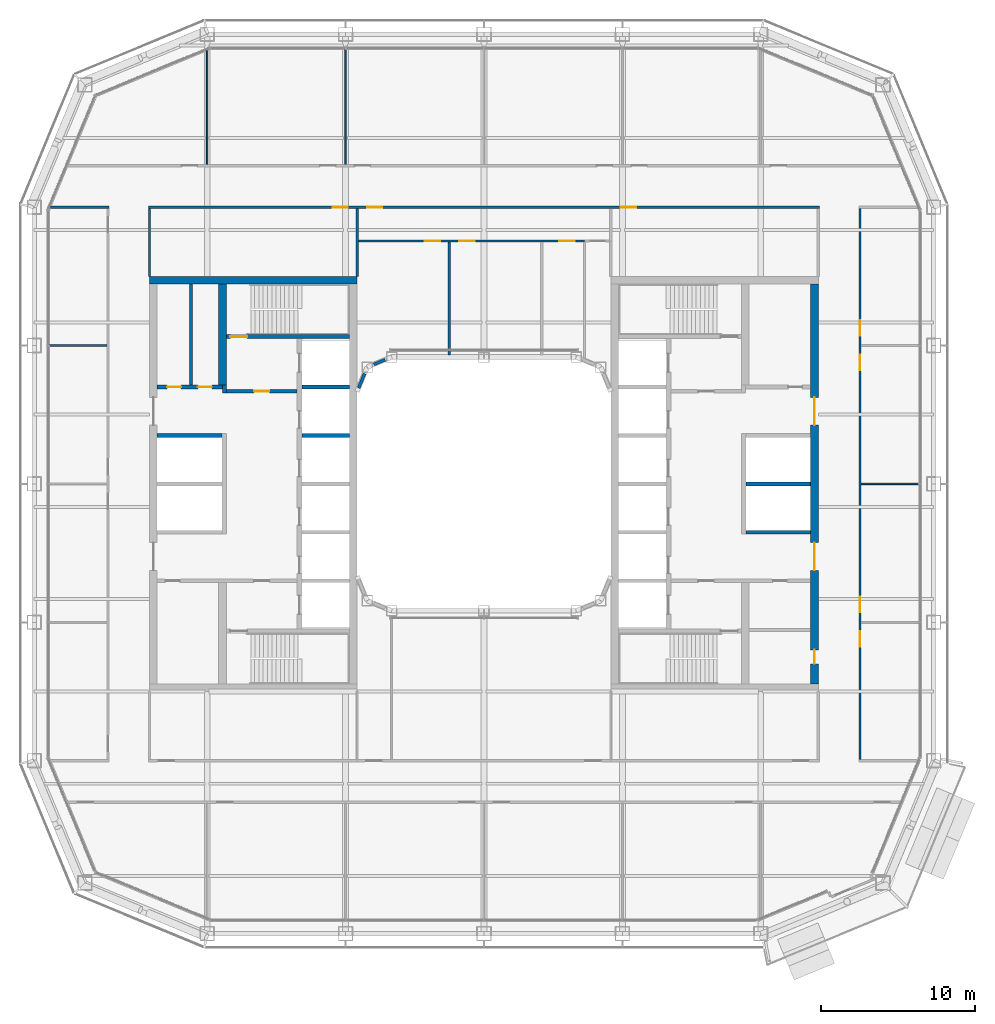
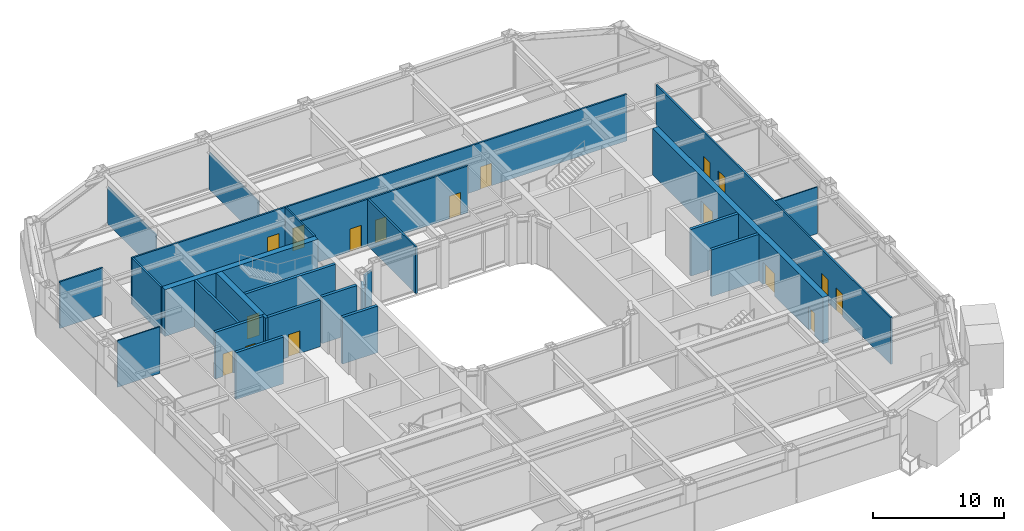
# One storey, part 13 of 23: 26 walls, 17 doors, 17 openings.
"""IFC4 building model written with IfcOpenShell, lengths in metres."""

from ifc_helpers import new_model, si_unit, direction, frame, frame_2d, origin, place, context, subcontext, project, spatial, rectangle, extrude, material, layer, layer_set, type_object, element, fill, save


model = new_model("IFC4")

# Units and contexts
model_context = context("Model", 3, precision=1e-05, world=origin(), true_north=direction((0.0, 1.0)))
body_context = subcontext(model_context, "Body", "Model", "MODEL_VIEW")
ifc_project = project(units=[si_unit("LENGTHUNIT", "METRE"), si_unit("AREAUNIT", "SQUARE_METRE"), si_unit("VOLUMEUNIT", "CUBIC_METRE"), si_unit("PLANEANGLEUNIT", "RADIAN"), si_unit("MASSUNIT", "GRAM", prefix="KILO")], contexts=[model_context])

# Site, building, storey
site_placement = place(None, origin())
site = spatial("IfcSite", under=ifc_project, at=site_placement, CompositionType="ELEMENT")
building_placement = place(site_placement, origin())
building = spatial("IfcBuilding", under=site, at=building_placement, Name="Siwar Civic Tower", CompositionType="ELEMENT")
storey_placement = place(building_placement, frame((0.0, 0.0, 127.199951171875)))
storey = spatial("IfcBuildingStorey", under=building, at=storey_placement, Name="L27", CompositionType="ELEMENT", Elevation=127.199951171875)

# Wall
ifc_material_1 = material(Name="Gypsum board on steel studs", Category="steel")
ifc_layer_1 = layer(ifc_material_1, 0.199951171875)
ifc_layer_set_1 = layer_set([ifc_layer_1], Name="Gypsum board on steel studs")
wall_type_1 = type_object("IfcWallType", Name="CORE-PARTITION-200", PredefinedType="PARTITIONING", material=ifc_layer_set_1)
wall_1_placement = place(storey_placement, frame((-19.050048828125, 6.425048828125, 0.0), z_axis=(0.0, 0.0, 1.0), x_axis=(0.0, 1.0, 0.0)))
element("IfcWall", 1, at=wall_1_placement, inside=storey, type_object=wall_type_1, Name="Core partition W", PredefinedType="PARTITIONING", context=body_context, shape_type="SweptSolid", body=[
    extrude(rectangle(XDim=6.574951171875, YDim=0.199951171875, at=frame_2d((3.28759765625, 0.0))), origin(), (0.0, 0.0, 1.0), 4.35009765625),
])

# Wall, opening, door
ifc_material_2 = material(Name="Concrete C60/75", Category="concrete")
ifc_layer_2 = layer(ifc_material_2, 0.25)
ifc_layer_set_2 = layer_set([ifc_layer_2], Name="Concrete C60/75")
wall_type_2 = type_object("IfcWallType", Name="CORE-WALL-RC250", PredefinedType="SHEAR", material=ifc_layer_set_2)
wall_2_placement = place(storey_placement, frame((-12.14990234375, 6.02490234375, 0.0), z_axis=(0.0, 0.0, 1.0), x_axis=(-1.0, 0.0, 0.0)))
wall_2 = element("IfcWall", 2, at=wall_2_placement, inside=storey, type_object=wall_type_2, Name="Core wall W", PredefinedType="SHEAR", context=body_context, shape_type="SweptSolid", body=[
    extrude(rectangle(XDim=4.60009765625, YDim=0.25, at=frame_2d((2.300048828125, 0.0))), origin(), (0.0, 0.0, 1.0), 4.35009765625),
])
opening_1_placement = place(wall_2_placement, frame((1.800048828125, 0.0, 0.0)))
opening_1 = element("IfcOpeningElement", 3, at=opening_1_placement, cuts=wall_2, Name="Opening L27-CW01", PredefinedType="OPENING", context=body_context, shape_type="SweptSolid", body=[
    extrude(rectangle(XDim=1.0, YDim=2.10009765625, at=frame_2d((0.5, 1.050048828125))), frame((0.0, 0.135009765625, 0.0), z_axis=(0.0, -1.0, 0.0), x_axis=(1.0, 0.0, 0.0)), (0.0, 0.0, 1.0), 0.27001953125),
])
ifc_material_3 = material(Name="Steel door leaf", Category="steel")
door_type_1 = type_object("IfcDoorType", Name="CORE-DOOR-FD30S", OperationType="SINGLE_SWING_LEFT", PredefinedType="DOOR", material=ifc_material_3)
door_1_placement = place(opening_1_placement, origin())
door_1 = element("IfcDoor", 4, at=door_1_placement, inside=storey, type_object=door_type_1, Name="Firefighting lobby door L27-CW01", OperationType="SINGLE_SWING_LEFT", OverallHeight=2.10009765625, OverallWidth=1.0, PredefinedType="DOOR", context=body_context, shape_type="SweptSolid", body=[
    extrude(rectangle(XDim=1.0, YDim=2.10009765625, at=frame_2d((0.5, 1.050048828125))), frame((0.0, 0.02490234375, 0.0), z_axis=(0.0, -1.0, 0.0), x_axis=(1.0, 0.0, 0.0)), (0.0, 0.0, 1.0), 0.050048828125),
])
fill(opening_1, door_1)

# Wall
wall_3_placement = place(storey_placement, frame((-16.875, 5.89990234375, 0.0), z_axis=(0.0, 0.0, 1.0), x_axis=(0.0, 1.0, 0.0)))
element("IfcWall", 5, at=wall_3_placement, inside=storey, type_object=wall_type_2, Name="Core wall W", PredefinedType="SHEAR", context=body_context, shape_type="SweptSolid", body=[
    extrude(rectangle(XDim=0.525146484375, YDim=0.25, at=frame_2d((0.2626953125, 0.0))), origin(), (0.0, 0.0, 1.0), 4.35009765625),
])

# Wall, openings, doors
wall_4_placement = place(storey_placement, frame((-17.0, 6.300048828125, 0.0), z_axis=(0.0, 0.0, 1.0), x_axis=(-1.0, 0.0, 0.0)))
wall_4 = element("IfcWall", 6, at=wall_4_placement, inside=storey, type_object=wall_type_2, Name="Core wall W", PredefinedType="SHEAR", context=body_context, shape_type="SweptSolid", body=[
    extrude(rectangle(XDim=4.25, YDim=0.25, at=frame_2d((2.125, 0.0))), origin(), (0.0, 0.0, 1.0), 4.35009765625),
])
opening_2_placement = place(wall_4_placement, frame((0.699951171875, 0.0, 0.0)))
opening_2 = element("IfcOpeningElement", 7, at=opening_2_placement, cuts=wall_4, Name="Opening L27-CW13", PredefinedType="OPENING", context=body_context, shape_type="SweptSolid", body=[
    extrude(rectangle(XDim=0.89990234375, YDim=2.10009765625, at=frame_2d((0.449951171875, 1.050048828125))), frame((0.0, 0.135009765625, 0.0), z_axis=(0.0, -1.0, 0.0), x_axis=(1.0, 0.0, 0.0)), (0.0, 0.0, 1.0), 0.27001953125),
])
opening_3_placement = place(wall_4_placement, frame((2.699951171875, 0.0, 0.0)))
opening_3 = element("IfcOpeningElement", 8, at=opening_3_placement, cuts=wall_4, Name="Opening L27-CW14", PredefinedType="OPENING", context=body_context, shape_type="SweptSolid", body=[
    extrude(rectangle(XDim=0.89990234375, YDim=2.10009765625, at=frame_2d((0.449951171875, 1.050048828125))), frame((0.0, 0.135009765625, 0.0), z_axis=(0.0, -1.0, 0.0), x_axis=(1.0, 0.0, 0.0)), (0.0, 0.0, 1.0), 0.27001953125),
])
ifc_material_4 = material(Name="Steel door leaf", Category="steel")
door_type_2 = type_object("IfcDoorType", Name="CORE-DOOR-ROOM", OperationType="SINGLE_SWING_LEFT", PredefinedType="DOOR", material=ifc_material_4)
door_2_placement = place(opening_2_placement, origin())
door_2 = element("IfcDoor", 9, at=door_2_placement, inside=storey, type_object=door_type_2, Name="Core room door L27-CW13", OperationType="SINGLE_SWING_RIGHT", OverallHeight=2.10009765625, OverallWidth=0.89990234375, PredefinedType="DOOR", context=body_context, shape_type="SweptSolid", body=[
    extrude(rectangle(XDim=0.89990234375, YDim=2.10009765625, at=frame_2d((0.449951171875, 1.050048828125))), frame((0.0, 0.02490234375, 0.0), z_axis=(0.0, -1.0, 0.0), x_axis=(1.0, 0.0, 0.0)), (0.0, 0.0, 1.0), 0.050048828125),
])
fill(opening_2, door_2)
door_3_placement = place(opening_3_placement, origin())
door_3 = element("IfcDoor", 10, at=door_3_placement, inside=storey, type_object=door_type_2, Name="Core room door L27-CW14", OperationType="SINGLE_SWING_LEFT", OverallHeight=2.10009765625, OverallWidth=0.89990234375, PredefinedType="DOOR", context=body_context, shape_type="SweptSolid", body=[
    extrude(rectangle(XDim=0.89990234375, YDim=2.10009765625, at=frame_2d((0.449951171875, 1.050048828125))), frame((0.0, 0.02490234375, 0.0), z_axis=(0.0, -1.0, 0.0), x_axis=(1.0, 0.0, 0.0)), (0.0, 0.0, 1.0), 0.050048828125),
])
fill(opening_3, door_3)

# Walls
wall_5_placement = place(storey_placement, frame((-17.050048828125, 3.14990234375, 0.0), z_axis=(0.0, 0.0, 1.0), x_axis=(-1.0, 0.0, 0.0)))
element("IfcWall", 11, at=wall_5_placement, inside=storey, type_object=wall_type_2, Name="Core wall W", PredefinedType="SHEAR", context=body_context, shape_type="SweptSolid", body=[
    extrude(rectangle(XDim=4.199951171875, YDim=0.25, at=frame_2d((2.10009765625, 0.0))), origin(), (0.0, 0.0, 1.0), 4.35009765625),
])
for number, where, z_axis, x_axis, name in (
    (12, (-8.75, 3.14990234375, 0.0), (0.0, 0.0, 1.0), (-1.0, 0.0, 0.0), "Core wall W"),
    (13, (-8.75, 6.300048828125, 0.0), (0.0, 0.0, 1.0), (-1.0, 0.0, 0.0), "Core wall W"),
):
    element("IfcWall", number, at=place(storey_placement, frame(where, z_axis=z_axis, x_axis=x_axis)), inside=storey, type_object=wall_type_2, Name=name, PredefinedType="SHEAR", context=body_context, shape_type="SweptSolid", body=[
        extrude(rectangle(XDim=3.10009765625, YDim=0.25, at=frame_2d((1.550048828125, 0.0))), origin(), (0.0, 0.0, 1.0), 4.35009765625),
    ])

# Wall, opening, door
wall_6_placement = place(storey_placement, frame((-8.75, 9.574951171875, 0.0), z_axis=(0.0, 0.0, 1.0), x_axis=(-1.0, 0.0, 0.0)))
wall_6 = element("IfcWall", 14, at=wall_6_placement, inside=storey, type_object=wall_type_2, Name="Core wall W", PredefinedType="SHEAR", context=body_context, shape_type="SweptSolid", body=[
    extrude(rectangle(XDim=8.0, YDim=0.25, at=frame_2d((4.0, 0.0))), origin(), (0.0, 0.0, 1.0), 4.35009765625),
])
opening_4_placement = place(wall_6_placement, frame((6.64990234375, 0.0, 0.0)))
opening_4 = element("IfcOpeningElement", 15, at=opening_4_placement, cuts=wall_6, Name="Opening L27-CW03", PredefinedType="OPENING", context=body_context, shape_type="SweptSolid", body=[
    extrude(rectangle(XDim=1.10009765625, YDim=2.10009765625, at=frame_2d((0.550048828125, 1.050048828125))), frame((0.0, 0.135009765625, 0.0), z_axis=(0.0, -1.0, 0.0), x_axis=(1.0, 0.0, 0.0)), (0.0, 0.0, 1.0), 0.27001953125),
])
ifc_material_5 = material(Name="Steel door leaf", Category="steel")
door_type_3 = type_object("IfcDoorType", Name="CORE-DOOR-FD60S", OperationType="SINGLE_SWING_LEFT", PredefinedType="DOOR", material=ifc_material_5)
door_4_placement = place(opening_4_placement, origin())
door_4 = element("IfcDoor", 16, at=door_4_placement, inside=storey, type_object=door_type_3, Name="Stair door L27-CW03", OperationType="SINGLE_SWING_RIGHT", OverallHeight=2.10009765625, OverallWidth=1.10009765625, PredefinedType="DOOR", context=body_context, shape_type="SweptSolid", body=[
    extrude(rectangle(XDim=1.10009765625, YDim=2.10009765625, at=frame_2d((0.550048828125, 1.050048828125))), frame((0.0, 0.02490234375, 0.0), z_axis=(0.0, -1.0, 0.0), x_axis=(1.0, 0.0, 0.0)), (0.0, 0.0, 1.0), 0.050048828125),
])
fill(opening_4, door_4)

# Walls
for number, where, z_axis, x_axis, name in (
    (17, (17.050048828125, 0.0, 0.0), (0.0, 0.0, 1.0), (1.0, 0.0, 0.0), "Core wall E"),
    (18, (17.050048828125, -3.14990234375, 0.0), (0.0, 0.0, 1.0), (1.0, 0.0, 0.0), "Core wall E"),
):
    element("IfcWall", number, at=place(storey_placement, frame(where, z_axis=z_axis, x_axis=x_axis)), inside=storey, type_object=wall_type_2, Name=name, PredefinedType="SHEAR", context=body_context, shape_type="SweptSolid", body=[
        extrude(rectangle(XDim=4.199951171875, YDim=0.25, at=frame_2d((2.10009765625, 0.0))), origin(), (0.0, 0.0, 1.0), 4.35009765625),
    ])
ifc_material_6 = material(Name="Concrete C60/75", Category="concrete")
ifc_layer_3 = layer(ifc_material_6, 0.5)
ifc_layer_set_3 = layer_set([ifc_layer_3], Name="Concrete C60/75")
wall_type_3 = type_object("IfcWallType", Name="CORE-WALL-RC500", PredefinedType="SHEAR", material=ifc_layer_set_3)
wall_7_placement = place(storey_placement, frame((-17.0, 6.425048828125, 0.0), z_axis=(0.0, 0.0, 1.0), x_axis=(0.0, 1.0, 0.0)))
element("IfcWall", 19, at=wall_7_placement, inside=storey, type_object=wall_type_3, Name="Core wall W", PredefinedType="SHEAR", context=body_context, shape_type="SweptSolid", body=[
    extrude(rectangle(XDim=6.574951171875, YDim=0.5, at=frame_2d((3.28759765625, 0.0))), origin(), (0.0, 0.0, 1.0), 4.35009765625),
])
wall_8_placement = place(storey_placement, frame((-8.25, 13.25, 0.0), z_axis=(0.0, 0.0, 1.0), x_axis=(-1.0, 0.0, 0.0)))
element("IfcWall", 20, at=wall_8_placement, inside=storey, type_object=wall_type_3, Name="Core wall W", PredefinedType="SHEAR", context=body_context, shape_type="SweptSolid", body=[
    extrude(rectangle(XDim=13.5, YDim=0.5, at=frame_2d((6.75, 0.0))), origin(), (0.0, 0.0, 1.0), 4.35009765625),
])

# Wall, openings, doors
wall_9_placement = place(storey_placement, frame((21.5, -13.0, 0.0), z_axis=(0.0, 0.0, 1.0), x_axis=(0.0, 1.0, 0.0)))
wall_9 = element("IfcWall", 21, at=wall_9_placement, inside=storey, type_object=wall_type_3, Name="Core wall E", PredefinedType="SHEAR", context=body_context, shape_type="SweptSolid", body=[
    extrude(rectangle(XDim=26.0, YDim=0.5, at=frame_2d((13.0, 0.0))), origin(), (0.0, 0.0, 1.0), 4.35009765625),
])
opening_5_placement = place(wall_9_placement, frame((16.824951171875, 0.0, 0.0)))
opening_5 = element("IfcOpeningElement", 22, at=opening_5_placement, cuts=wall_9, Name="Opening L27-CE05", PredefinedType="OPENING", context=body_context, shape_type="SweptSolid", body=[
    extrude(rectangle(XDim=1.800048828125, YDim=2.10009765625, at=frame_2d((0.89990234375, 1.050048828125))), frame((0.0, 0.260009765625, 0.0), z_axis=(0.0, -1.0, 0.0), x_axis=(1.0, 0.0, 0.0)), (0.0, 0.0, 1.0), 0.52001953125),
])
opening_6_placement = place(wall_9_placement, frame((7.375, 0.0, 0.0)))
opening_6 = element("IfcOpeningElement", 23, at=opening_6_placement, cuts=wall_9, Name="Opening L27-CE06", PredefinedType="OPENING", context=body_context, shape_type="SweptSolid", body=[
    extrude(rectangle(XDim=1.800048828125, YDim=2.10009765625, at=frame_2d((0.89990234375, 1.050048828125))), frame((0.0, 0.260009765625, 0.0), z_axis=(0.0, -1.0, 0.0), x_axis=(1.0, 0.0, 0.0)), (0.0, 0.0, 1.0), 0.52001953125),
])
opening_7_placement = place(wall_9_placement, frame((1.300048828125, 0.0, 0.0)))
opening_7 = element("IfcOpeningElement", 24, at=opening_7_placement, cuts=wall_9, Name="Opening L27-CE15", PredefinedType="OPENING", context=body_context, shape_type="SweptSolid", body=[
    extrude(rectangle(XDim=0.89990234375, YDim=2.10009765625, at=frame_2d((0.449951171875, 1.050048828125))), frame((0.0, 0.260009765625, 0.0), z_axis=(0.0, -1.0, 0.0), x_axis=(1.0, 0.0, 0.0)), (0.0, 0.0, 1.0), 0.52001953125),
])
ifc_material_7 = material(Name="Steel door leaf", Category="steel")
door_type_4 = type_object("IfcDoorType", Name="CORE-DOOR-PORT", OperationType="DOUBLE_DOOR_DOUBLE_SWING", PredefinedType="DOOR", material=ifc_material_7)
door_5_placement = place(opening_5_placement, origin())
door_5 = element("IfcDoor", 25, at=door_5_placement, inside=storey, type_object=door_type_4, Name="Core entrance door L27-CE05", OperationType="DOUBLE_DOOR_DOUBLE_SWING", OverallHeight=2.10009765625, OverallWidth=1.800048828125, PredefinedType="DOOR", context=body_context, shape_type="SweptSolid", body=[
    extrude(rectangle(XDim=1.800048828125, YDim=2.10009765625, at=frame_2d((0.89990234375, 1.050048828125))), frame((0.0, 0.02490234375, 0.0), z_axis=(0.0, -1.0, 0.0), x_axis=(1.0, 0.0, 0.0)), (0.0, 0.0, 1.0), 0.050048828125),
])
fill(opening_5, door_5)
door_6_placement = place(opening_6_placement, origin())
door_6 = element("IfcDoor", 26, at=door_6_placement, inside=storey, type_object=door_type_4, Name="Core entrance door L27-CE06", OperationType="DOUBLE_DOOR_DOUBLE_SWING", OverallHeight=2.10009765625, OverallWidth=1.800048828125, PredefinedType="DOOR", context=body_context, shape_type="SweptSolid", body=[
    extrude(rectangle(XDim=1.800048828125, YDim=2.10009765625, at=frame_2d((0.89990234375, 1.050048828125))), frame((0.0, 0.02490234375, 0.0), z_axis=(0.0, -1.0, 0.0), x_axis=(1.0, 0.0, 0.0)), (0.0, 0.0, 1.0), 0.050048828125),
])
fill(opening_6, door_6)
door_7_placement = place(opening_7_placement, origin())
door_7 = element("IfcDoor", 27, at=door_7_placement, inside=storey, type_object=door_type_2, Name="Core room door L27-CE15", OperationType="SINGLE_SWING_LEFT", OverallHeight=2.10009765625, OverallWidth=0.89990234375, PredefinedType="DOOR", context=body_context, shape_type="SweptSolid", body=[
    extrude(rectangle(XDim=0.89990234375, YDim=2.10009765625, at=frame_2d((0.449951171875, 1.050048828125))), frame((0.0, 0.02490234375, 0.0), z_axis=(0.0, -1.0, 0.0), x_axis=(1.0, 0.0, 0.0)), (0.0, 0.0, 1.0), 0.050048828125),
])
fill(opening_7, door_7)

ifc_material_8 = material(Name="Gypsum board on steel studs", Category="steel")
ifc_layer_4 = layer(ifc_material_8, 0.14990234375)
ifc_layer_set_4 = layer_set([ifc_layer_4], Name="Gypsum board on steel studs")
wall_type_4 = type_object("IfcWallType", Name="CORRIDOR PARTITION 150 EI 30", PredefinedType="PARTITIONING", material=ifc_layer_set_4)
wall_10_placement = place(storey_placement, frame((-8.175048828125, 15.800048828125, 0.0), z_axis=(0.0, 0.0, 1.0), x_axis=(1.0, 0.0, 0.0)))
wall_10 = element("IfcWall", 28, at=wall_10_placement, inside=storey, type_object=wall_type_4, Name="L27/wall/P11", PredefinedType="PARTITIONING", context=body_context, shape_type="SweptSolid", body=[
    extrude(rectangle(XDim=14.715087890625, YDim=0.14990234375, at=frame_2d((7.357421875, 0.0))), origin(), (0.0, 0.0, 1.0), 4.35009765625),
])
opening_8_placement = place(wall_10_placement, frame((4.324951171875, 0.0, 0.0)))
opening_8 = element("IfcOpeningElement", 29, at=opening_8_placement, cuts=wall_10, Name="Opening D3", PredefinedType="OPENING", context=body_context, shape_type="SweptSolid", body=[
    extrude(rectangle(XDim=1.0, YDim=2.10009765625, at=frame_2d((0.5, 1.050048828125))), frame((0.0, 0.0849609375, 0.0), z_axis=(0.0, -1.0, 0.0), x_axis=(1.0, 0.0, 0.0)), (0.0, 0.0, 1.0), 0.169921875),
])
opening_9_placement = place(wall_10_placement, frame((6.574951171875, 0.0, 0.0)))
opening_9 = element("IfcOpeningElement", 30, at=opening_9_placement, cuts=wall_10, Name="Opening D3", PredefinedType="OPENING", context=body_context, shape_type="SweptSolid", body=[
    extrude(rectangle(XDim=1.0, YDim=2.10009765625, at=frame_2d((0.5, 1.050048828125))), frame((0.0, 0.0849609375, 0.0), z_axis=(0.0, -1.0, 0.0), x_axis=(1.0, 0.0, 0.0)), (0.0, 0.0, 1.0), 0.169921875),
])
opening_10_placement = place(wall_10_placement, frame((13.074951171875, 0.0, 0.0)))
opening_10 = element("IfcOpeningElement", 31, at=opening_10_placement, cuts=wall_10, Name="Opening D3", PredefinedType="OPENING", context=body_context, shape_type="SweptSolid", body=[
    extrude(rectangle(XDim=1.0, YDim=2.10009765625, at=frame_2d((0.5, 1.050048828125))), frame((0.0, 0.0849609375, 0.0), z_axis=(0.0, -1.0, 0.0), x_axis=(1.0, 0.0, 0.0)), (0.0, 0.0, 1.0), 0.169921875),
])
ifc_material_9 = material(Name="Timber, painted", Category="wood")
door_type_5 = type_object("IfcDoorType", Name="DOOR 1000 X 2100 WC", OperationType="SINGLE_SWING_LEFT", PredefinedType="DOOR", material=ifc_material_9)
door_8_placement = place(opening_8_placement, origin())
door_8 = element("IfcDoor", 32, at=door_8_placement, inside=storey, type_object=door_type_5, Name="L27-D14", OperationType="SINGLE_SWING_RIGHT", OverallHeight=2.10009765625, OverallWidth=1.0, PredefinedType="DOOR", context=body_context, shape_type="SweptSolid", body=[
    extrude(rectangle(XDim=1.0, YDim=2.10009765625, at=frame_2d((0.5, 1.050048828125))), frame((0.0, 0.02490234375, 0.0), z_axis=(0.0, -1.0, 0.0), x_axis=(1.0, 0.0, 0.0)), (0.0, 0.0, 1.0), 0.050048828125),
])
fill(opening_8, door_8)
door_9_placement = place(opening_9_placement, origin())
door_9 = element("IfcDoor", 33, at=door_9_placement, inside=storey, type_object=door_type_5, Name="L27-D15", OperationType="SINGLE_SWING_LEFT", OverallHeight=2.10009765625, OverallWidth=1.0, PredefinedType="DOOR", context=body_context, shape_type="SweptSolid", body=[
    extrude(rectangle(XDim=1.0, YDim=2.10009765625, at=frame_2d((0.5, 1.050048828125))), frame((0.0, 0.02490234375, 0.0), z_axis=(0.0, -1.0, 0.0), x_axis=(1.0, 0.0, 0.0)), (0.0, 0.0, 1.0), 0.050048828125),
])
fill(opening_9, door_9)
door_10_placement = place(opening_10_placement, origin())
door_10 = element("IfcDoor", 34, at=door_10_placement, inside=storey, type_object=door_type_5, Name="L27-D16", OperationType="SINGLE_SWING_RIGHT", OverallHeight=2.10009765625, OverallWidth=1.0, PredefinedType="DOOR", context=body_context, shape_type="SweptSolid", body=[
    extrude(rectangle(XDim=1.0, YDim=2.10009765625, at=frame_2d((0.5, 1.050048828125))), frame((0.0, 0.02490234375, 0.0), z_axis=(0.0, -1.0, 0.0), x_axis=(1.0, 0.0, 0.0)), (0.0, 0.0, 1.0), 0.050048828125),
])
fill(opening_10, door_10)

# Wall
wall_11_placement = place(storey_placement, frame((-28.177978515625, 18.0, 0.0), z_axis=(0.0, 0.0, 1.0), x_axis=(1.0, 0.0, 0.0)))
element("IfcWall", 35, at=wall_11_placement, inside=storey, type_object=wall_type_4, Name="L27/wall/P13", PredefinedType="PARTITIONING", context=body_context, shape_type="SweptSolid", body=[
    extrude(rectangle(XDim=3.802978515625, YDim=0.14990234375, at=frame_2d((1.9013671875, 0.0))), origin(), (0.0, 0.0, 1.0), 4.35009765625),
])

# Wall, openings, doors
wall_12_placement = place(storey_placement, frame((-21.824951171875, 18.0, 0.0), z_axis=(0.0, 0.0, 1.0), x_axis=(1.0, 0.0, 0.0)))
wall_12 = element("IfcWall", 36, at=wall_12_placement, inside=storey, type_object=wall_type_4, Name="L27/wall/P14", PredefinedType="PARTITIONING", context=body_context, shape_type="SweptSolid", body=[
    extrude(rectangle(XDim=43.64990234375, YDim=0.14990234375, at=frame_2d((21.824951171875, 0.0))), origin(), (0.0, 0.0, 1.0), 4.35009765625),
])
opening_11_placement = place(wall_12_placement, frame((14.22509765625, 0.0, 0.0)))
opening_11 = element("IfcOpeningElement", 37, at=opening_11_placement, cuts=wall_12, Name="Opening D1", PredefinedType="OPENING", context=body_context, shape_type="SweptSolid", body=[
    extrude(rectangle(XDim=1.0, YDim=2.10009765625, at=frame_2d((0.5, 1.050048828125))), frame((0.0, 0.0849609375, 0.0), z_axis=(0.0, -1.0, 0.0), x_axis=(1.0, 0.0, 0.0)), (0.0, 0.0, 1.0), 0.169921875),
])
opening_12_placement = place(wall_12_placement, frame((11.97509765625, 0.0, 0.0)))
opening_12 = element("IfcOpeningElement", 38, at=opening_12_placement, cuts=wall_12, Name="Opening D1", PredefinedType="OPENING", context=body_context, shape_type="SweptSolid", body=[
    extrude(rectangle(XDim=1.0, YDim=2.10009765625, at=frame_2d((0.5, 1.050048828125))), frame((0.0, 0.0849609375, 0.0), z_axis=(0.0, -1.0, 0.0), x_axis=(1.0, 0.0, 0.0)), (0.0, 0.0, 1.0), 0.169921875),
])
opening_13_placement = place(wall_12_placement, frame((30.72509765625, 0.0, 0.0)))
opening_13 = element("IfcOpeningElement", 39, at=opening_13_placement, cuts=wall_12, Name="Opening D1", PredefinedType="OPENING", context=body_context, shape_type="SweptSolid", body=[
    extrude(rectangle(XDim=1.0, YDim=2.10009765625, at=frame_2d((0.5, 1.050048828125))), frame((0.0, 0.0849609375, 0.0), z_axis=(0.0, -1.0, 0.0), x_axis=(1.0, 0.0, 0.0)), (0.0, 0.0, 1.0), 0.169921875),
])
ifc_material_10 = material(Name="Timber, painted", Category="wood")
door_type_6 = type_object("IfcDoorType", Name="DOOR 1000 X 2100 FD30", OperationType="SINGLE_SWING_LEFT", PredefinedType="DOOR", material=ifc_material_10)
door_11_placement = place(opening_11_placement, origin())
door_11 = element("IfcDoor", 40, at=door_11_placement, inside=storey, type_object=door_type_6, Name="L27-D13", OperationType="SINGLE_SWING_LEFT", OverallHeight=2.10009765625, OverallWidth=1.0, PredefinedType="DOOR", context=body_context, shape_type="SweptSolid", body=[
    extrude(rectangle(XDim=1.0, YDim=2.10009765625, at=frame_2d((0.5, 1.050048828125))), frame((0.0, 0.02490234375, 0.0), z_axis=(0.0, -1.0, 0.0), x_axis=(1.0, 0.0, 0.0)), (0.0, 0.0, 1.0), 0.050048828125),
])
fill(opening_11, door_11)
door_12_placement = place(opening_12_placement, origin())
door_12 = element("IfcDoor", 41, at=door_12_placement, inside=storey, type_object=door_type_6, Name="L27-D20", OperationType="SINGLE_SWING_RIGHT", OverallHeight=2.10009765625, OverallWidth=1.0, PredefinedType="DOOR", context=body_context, shape_type="SweptSolid", body=[
    extrude(rectangle(XDim=1.0, YDim=2.10009765625, at=frame_2d((0.5, 1.050048828125))), frame((0.0, 0.02490234375, 0.0), z_axis=(0.0, -1.0, 0.0), x_axis=(1.0, 0.0, 0.0)), (0.0, 0.0, 1.0), 0.050048828125),
])
fill(opening_12, door_12)
door_13_placement = place(opening_13_placement, origin())
door_13 = element("IfcDoor", 42, at=door_13_placement, inside=storey, type_object=door_type_6, Name="L27-D21", OperationType="SINGLE_SWING_LEFT", OverallHeight=2.10009765625, OverallWidth=1.0, PredefinedType="DOOR", context=body_context, shape_type="SweptSolid", body=[
    extrude(rectangle(XDim=1.0, YDim=2.10009765625, at=frame_2d((0.5, 1.050048828125))), frame((0.0, 0.02490234375, 0.0), z_axis=(0.0, -1.0, 0.0), x_axis=(1.0, 0.0, 0.0)), (0.0, 0.0, 1.0), 0.050048828125),
])
fill(opening_13, door_13)

# Walls
for number, where, z_axis, x_axis, name in (
    (43, (-21.75, 13.5, 0.0), (0.0, 0.0, 1.0), (0.0, 1.0, 0.0), "L27/wall/P19"),
    (44, (-8.25, 13.5, 0.0), (0.0, 0.0, 1.0), (0.0, 1.0, 0.0), "L27/wall/P25"),
):
    element("IfcWall", number, at=place(storey_placement, frame(where, z_axis=z_axis, x_axis=x_axis)), inside=storey, type_object=wall_type_4, Name=name, PredefinedType="PARTITIONING", context=body_context, shape_type="SweptSolid", body=[
        extrude(rectangle(XDim=4.425048828125, YDim=0.14990234375, at=frame_2d((2.21240234375, 0.0))), origin(), (0.0, 0.0, 1.0), 4.35009765625),
    ])
wall_13_placement = place(storey_placement, frame((-2.25, 8.3701171875, 0.0), z_axis=(0.0, 0.0, 1.0), x_axis=(0.0, 1.0, 0.0)))
element("IfcWall", 45, at=wall_13_placement, inside=storey, type_object=wall_type_4, Name="L27/wall/P27", PredefinedType="PARTITIONING", context=body_context, shape_type="SweptSolid", body=[
    extrude(rectangle(XDim=7.35498046875, YDim=0.14990234375, at=frame_2d((3.677490234375, 0.0))), origin(), (0.0, 0.0, 1.0), 4.35009765625),
])

# Wall, openings, doors
wall_14_placement = place(storey_placement, frame((24.449951171875, -17.925048828125, 0.0), z_axis=(0.0, 0.0, 1.0), x_axis=(0.0, 1.0, 0.0)))
wall_14 = element("IfcWall", 46, at=wall_14_placement, inside=storey, type_object=wall_type_4, Name="L27/wall/P41", PredefinedType="PARTITIONING", context=body_context, shape_type="SweptSolid", body=[
    extrude(rectangle(XDim=35.85009765625, YDim=0.14990234375, at=frame_2d((17.925048828125, 0.0))), origin(), (0.0, 0.0, 1.0), 4.35009765625),
])
opening_14_placement = place(wall_14_placement, frame((7.324951171875, 0.0, 0.0)))
opening_14 = element("IfcOpeningElement", 47, at=opening_14_placement, cuts=wall_14, Name="Opening D1", PredefinedType="OPENING", context=body_context, shape_type="SweptSolid", body=[
    extrude(rectangle(XDim=1.0, YDim=2.10009765625, at=frame_2d((0.5, 1.050048828125))), frame((0.0, 0.0849609375, 0.0), z_axis=(0.0, -1.0, 0.0), x_axis=(1.0, 0.0, 0.0)), (0.0, 0.0, 1.0), 0.169921875),
])
opening_15_placement = place(wall_14_placement, frame((9.574951171875, 0.0, 0.0)))
opening_15 = element("IfcOpeningElement", 48, at=opening_15_placement, cuts=wall_14, Name="Opening D1", PredefinedType="OPENING", context=body_context, shape_type="SweptSolid", body=[
    extrude(rectangle(XDim=1.0, YDim=2.10009765625, at=frame_2d((0.5, 1.050048828125))), frame((0.0, 0.0849609375, 0.0), z_axis=(0.0, -1.0, 0.0), x_axis=(1.0, 0.0, 0.0)), (0.0, 0.0, 1.0), 0.169921875),
])
opening_16_placement = place(wall_14_placement, frame((25.324951171875, 0.0, 0.0)))
opening_16 = element("IfcOpeningElement", 49, at=opening_16_placement, cuts=wall_14, Name="Opening D1", PredefinedType="OPENING", context=body_context, shape_type="SweptSolid", body=[
    extrude(rectangle(XDim=1.0, YDim=2.10009765625, at=frame_2d((0.5, 1.050048828125))), frame((0.0, 0.0849609375, 0.0), z_axis=(0.0, -1.0, 0.0), x_axis=(1.0, 0.0, 0.0)), (0.0, 0.0, 1.0), 0.169921875),
])
opening_17_placement = place(wall_14_placement, frame((27.574951171875, 0.0, 0.0)))
opening_17 = element("IfcOpeningElement", 50, at=opening_17_placement, cuts=wall_14, Name="Opening D1", PredefinedType="OPENING", context=body_context, shape_type="SweptSolid", body=[
    extrude(rectangle(XDim=1.0, YDim=2.10009765625, at=frame_2d((0.5, 1.050048828125))), frame((0.0, 0.0849609375, 0.0), z_axis=(0.0, -1.0, 0.0), x_axis=(1.0, 0.0, 0.0)), (0.0, 0.0, 1.0), 0.169921875),
])
door_14_placement = place(opening_14_placement, origin())
door_14 = element("IfcDoor", 51, at=door_14_placement, inside=storey, type_object=door_type_6, Name="L27-D28", OperationType="SINGLE_SWING_RIGHT", OverallHeight=2.10009765625, OverallWidth=1.0, PredefinedType="DOOR", context=body_context, shape_type="SweptSolid", body=[
    extrude(rectangle(XDim=1.0, YDim=2.10009765625, at=frame_2d((0.5, 1.050048828125))), frame((0.0, 0.02490234375, 0.0), z_axis=(0.0, -1.0, 0.0), x_axis=(1.0, 0.0, 0.0)), (0.0, 0.0, 1.0), 0.050048828125),
])
fill(opening_14, door_14)
door_15_placement = place(opening_15_placement, origin())
door_15 = element("IfcDoor", 52, at=door_15_placement, inside=storey, type_object=door_type_6, Name="L27-D29", OperationType="SINGLE_SWING_LEFT", OverallHeight=2.10009765625, OverallWidth=1.0, PredefinedType="DOOR", context=body_context, shape_type="SweptSolid", body=[
    extrude(rectangle(XDim=1.0, YDim=2.10009765625, at=frame_2d((0.5, 1.050048828125))), frame((0.0, 0.02490234375, 0.0), z_axis=(0.0, -1.0, 0.0), x_axis=(1.0, 0.0, 0.0)), (0.0, 0.0, 1.0), 0.050048828125),
])
fill(opening_15, door_15)
door_16_placement = place(opening_16_placement, origin())
door_16 = element("IfcDoor", 53, at=door_16_placement, inside=storey, type_object=door_type_6, Name="L27-D30", OperationType="SINGLE_SWING_RIGHT", OverallHeight=2.10009765625, OverallWidth=1.0, PredefinedType="DOOR", context=body_context, shape_type="SweptSolid", body=[
    extrude(rectangle(XDim=1.0, YDim=2.10009765625, at=frame_2d((0.5, 1.050048828125))), frame((0.0, 0.02490234375, 0.0), z_axis=(0.0, -1.0, 0.0), x_axis=(1.0, 0.0, 0.0)), (0.0, 0.0, 1.0), 0.050048828125),
])
fill(opening_16, door_16)
door_17_placement = place(opening_17_placement, origin())
door_17 = element("IfcDoor", 54, at=door_17_placement, inside=storey, type_object=door_type_6, Name="L27-D31", OperationType="SINGLE_SWING_LEFT", OverallHeight=2.10009765625, OverallWidth=1.0, PredefinedType="DOOR", context=body_context, shape_type="SweptSolid", body=[
    extrude(rectangle(XDim=1.0, YDim=2.10009765625, at=frame_2d((0.5, 1.050048828125))), frame((0.0, 0.02490234375, 0.0), z_axis=(0.0, -1.0, 0.0), x_axis=(1.0, 0.0, 0.0)), (0.0, 0.0, 1.0), 0.050048828125),
])
fill(opening_17, door_17)

# Walls
ifc_material_11 = material(Name="Aluminium clad insulated panel", Category="aluminium")
ifc_layer_5 = layer(ifc_material_11, 0.199951171875)
ifc_layer_set_5 = layer_set([ifc_layer_5], Name="Aluminium clad insulated panel")
wall_type_5 = type_object("IfcWallType", Name="ENV-WALL-WELL", PredefinedType="STANDARD", material=ifc_layer_set_5)
wall_15_placement = place(storey_placement, frame((-6.422607421875, 8.074951171875, 0.0), z_axis=(0.0, 0.0, 1.0), x_axis=(-0.923817771127, -0.382832503518, 0.0)))
element("IfcWall", 55, at=wall_15_placement, inside=storey, type_object=wall_type_5, Name="Light well corner wall NW1", PredefinedType="STANDARD", context=body_context, shape_type="SweptSolid", body=[
    extrude(rectangle(XDim=0.807373046875, YDim=0.199951171875, at=frame_2d((0.40380859375, 0.0))), origin(), (0.0, 0.0, 1.0), 3.825927734375),
])
wall_16_placement = place(storey_placement, frame((-7.765869140625, 7.16845703125, 0.0), z_axis=(0.0, 0.0, 1.0), x_axis=(-0.382769662028, -0.923843810301, 0.0)))
element("IfcWall", 56, at=wall_16_placement, inside=storey, type_object=wall_type_5, Name="Light well corner wall NW2", PredefinedType="STANDARD", context=body_context, shape_type="SweptSolid", body=[
    extrude(rectangle(XDim=1.014892578125, YDim=0.199951171875, at=frame_2d((0.50732421875, 0.0))), origin(), (0.0, 0.0, 1.0), 3.825927734375),
])
ifc_material_12 = material(Name="Gypsum board on steel studs", Category="steel")
ifc_layer_6 = layer(ifc_material_12, 0.10009765625)
ifc_layer_set_6 = layer_set([ifc_layer_6], Name="Gypsum board on steel studs")
wall_type_6 = type_object("IfcWallType", Name="PARTITION 100 GYPSUM", PredefinedType="PARTITIONING", material=ifc_layer_set_6)
for number, where, z_axis, x_axis, name in (
    (57, (24.52490234375, 0.0, 0.0), (0.0, 0.0, 1.0), (1.0, 0.0, 0.0), "L27/wall/P08"),
    (58, (-28.260009765625, 9.0, 0.0), (0.0, 0.0, 1.0), (1.0, 0.0, 0.0), "L27/wall/P09"),
):
    element("IfcWall", number, at=place(storey_placement, frame(where, z_axis=z_axis, x_axis=x_axis)), inside=storey, type_object=wall_type_6, Name=name, PredefinedType="PARTITIONING", context=body_context, shape_type="SweptSolid", body=[
        extrude(rectangle(XDim=3.735107421875, YDim=0.10009765625, at=frame_2d((1.86767578125, 0.0))), origin(), (0.0, 0.0, 1.0), 4.35009765625),
    ])
wall_17_placement = place(storey_placement, frame((-18.0, 20.77490234375, 0.0), z_axis=(0.0, 0.0, 1.0), x_axis=(0.0, 1.0, 0.0)))
element("IfcWall", 59, at=wall_17_placement, inside=storey, type_object=wall_type_6, Name="L27/wall/P21", PredefinedType="PARTITIONING", context=body_context, shape_type="SweptSolid", body=[
    extrude(rectangle(XDim=7.403076171875, YDim=0.10009765625, at=frame_2d((3.70166015625, 0.0))), origin(), (0.0, 0.0, 1.0), 3.449951171875),
])
wall_18_placement = place(storey_placement, frame((-9.0, 20.77490234375, 0.0), z_axis=(0.0, 0.0, 1.0), x_axis=(0.0, 1.0, 0.0)))
element("IfcWall", 60, at=wall_18_placement, inside=storey, type_object=wall_type_6, Name="L27/wall/P23", PredefinedType="PARTITIONING", context=body_context, shape_type="SweptSolid", body=[
    extrude(rectangle(XDim=7.485107421875, YDim=0.10009765625, at=frame_2d((3.74267578125, 0.0))), origin(), (0.0, 0.0, 1.0), 3.449951171875),
])

save(model, "model.ifc")
